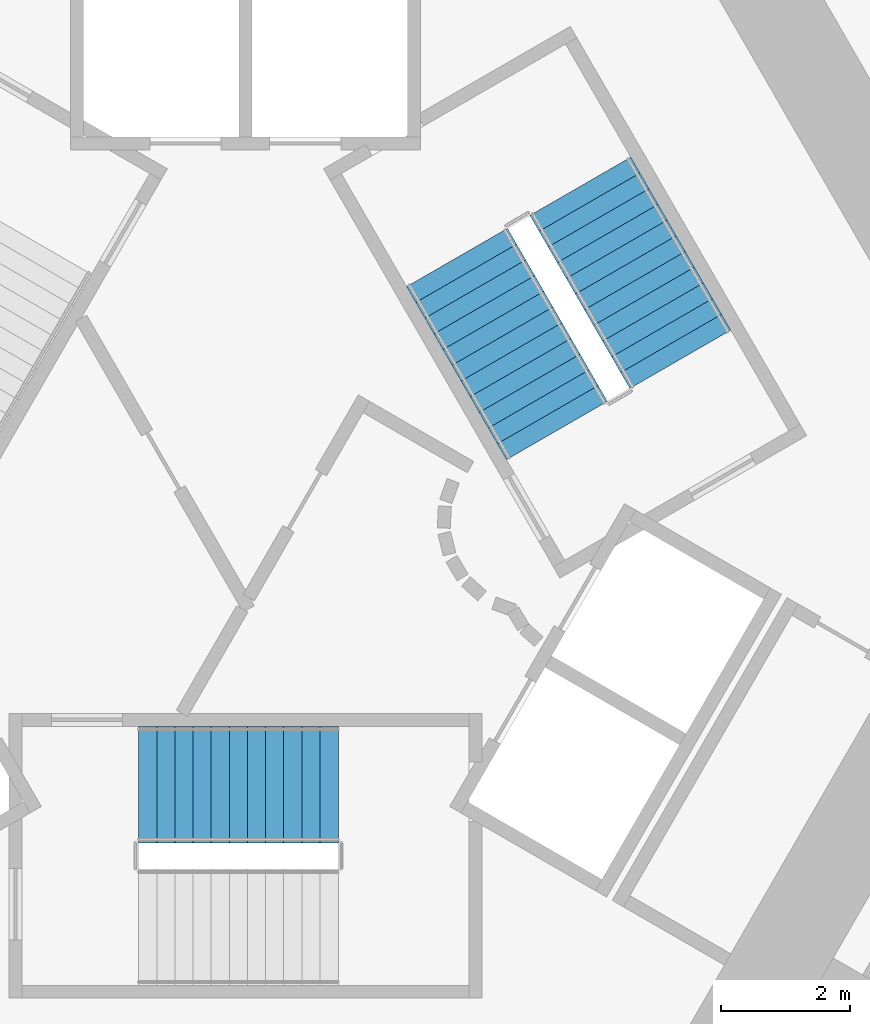
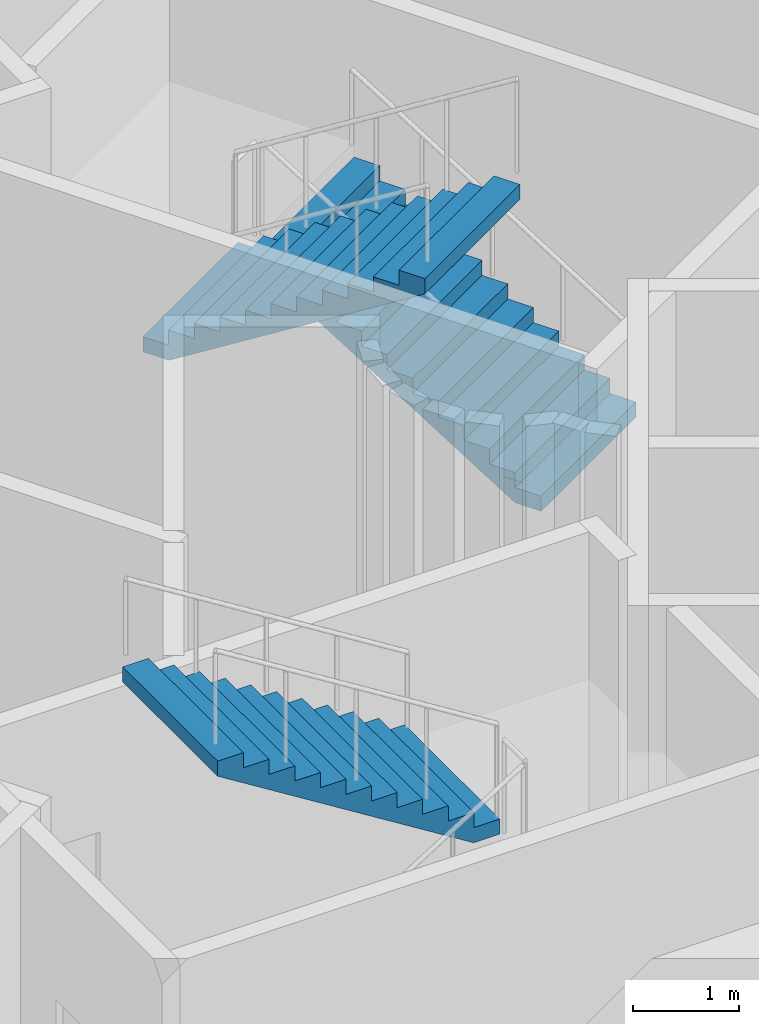
# One storey, part 10 of 13: 3 stair flights, 2 elements without a shape of their own.
"""IFC4 building model written with IfcOpenShell, lengths in metres."""

from ifc_helpers import new_model, si_unit, direction, frame, origin, place, context, subcontext, project, spatial, polyline, outline, extrude, material, type_object, element, aggregate, save


model = new_model("IFC4")

# Units and contexts
model_context = context("Model", 3, precision=1e-05, world=origin(), true_north=direction((0.0, 1.0)))
body_context = subcontext(model_context, "Body", "Model", "MODEL_VIEW")
ifc_project = project(units=[si_unit("LENGTHUNIT", "METRE"), si_unit("AREAUNIT", "SQUARE_METRE"), si_unit("VOLUMEUNIT", "CUBIC_METRE"), si_unit("PLANEANGLEUNIT", "RADIAN"), si_unit("MASSUNIT", "GRAM", prefix="KILO")], contexts=[model_context])

# Site, building, storey
site_placement = place(None, origin())
site = spatial("IfcSite", under=ifc_project, at=site_placement, CompositionType="ELEMENT")
building_placement = place(site_placement, origin())
building = spatial("IfcBuilding", under=site, at=building_placement, Name="Entoto Arch Interchange Tower", CompositionType="ELEMENT")
storey_placement = place(building_placement, frame((0.0, 0.0, 227.60009765625)))
storey = spatial("IfcBuildingStorey", under=building, at=storey_placement, Name="L51", CompositionType="ELEMENT", Elevation=227.60009765625)

# Stair, stair flight
ifc_material = material(Name="Concrete C40/50", Category="concrete")
stair_type = type_object("IfcStairType", Name="EXIT STAIR RC 1800", PredefinedType="HALF_TURN_STAIR", material=ifc_material)
stair_1_placement = place(storey_placement, origin())
stair_1 = element("IfcStair", 1, at=stair_1_placement, inside=storey, type_object=stair_type, Name="L51 Exit stair S", PredefinedType="HALF_TURN_STAIR")
stair_flight_type = type_object("IfcStairFlightType", Name="EXIT STAIR FLIGHT RC 1800", PredefinedType="STRAIGHT", material=ifc_material)
stair_flight_1_placement = place(storey_placement, frame((1.429931640625, -2.10009765625, 2.099853515625), z_axis=(0.0, 0.0, 1.0), x_axis=(-1.0, 0.0, 0.0)))
stair_flight_1 = element("IfcStairFlight", 2, at=stair_flight_1_placement, type_object=stair_flight_type, Name="ST-S flight 2", NumberOfRisers=12, NumberOfTreads=11, PredefinedType="STRAIGHT", RiserHeight=0.175, TreadLength=0.28, context=body_context, shape_type="SweptSolid", body=[
    extrude(outline(polyline([(-0.0029296875, 0.0), (-0.0029296875, 0.175048828125), (0.280029296875, 0.175048828125), (0.280029296875, 0.35009765625), (0.56005859375, 0.35009765625), (0.56005859375, 0.52490234375), (0.840087890625, 0.52490234375), (0.840087890625, 0.699951171875), (1.1201171875, 0.699951171875), (1.1201171875, 0.875), (1.39990234375, 0.875), (1.39990234375, 1.050048828125), (1.679931640625, 1.050048828125), (1.679931640625, 1.22509765625), (1.9599609375, 1.22509765625), (1.9599609375, 1.39990234375), (2.239990234375, 1.39990234375), (2.239990234375, 1.574951171875), (2.52001953125, 1.574951171875), (2.52001953125, 1.75), (2.800048828125, 1.75), (2.800048828125, 1.925048828125), (3.080078125, 1.925048828125), (3.0830078125, 1.925048828125), (3.0830078125, 1.75), (0.28271484375, 0.0), (-0.0029296875, 0.0)])), frame((0.0, 0.89990234375, 0.0), z_axis=(0.0, -1.0, 0.0), x_axis=(1.0, 0.0, 0.0)), (0.0, 0.0, 1.0), 1.800048828125),
])
aggregate(stair_1, [stair_flight_1])

# Stair, stair flights
stair_2_placement = place(storey_placement, origin())
stair_2 = element("IfcStair", 3, at=stair_2_placement, inside=storey, type_object=stair_type, Name="L51 Exit stair NE", PredefinedType="HALF_TURN_STAIR")
stair_flight_2_placement = place(storey_placement, frame((6.7138671875, 4.470947265625, 0.0), z_axis=(0.0, 0.0, 1.0), x_axis=(-0.5, 0.866025403784, 0.0)))
stair_flight_2 = element("IfcStairFlight", 4, at=stair_flight_2_placement, type_object=stair_flight_type, Name="ST-NE flight 1", NumberOfRisers=12, NumberOfTreads=11, PredefinedType="STRAIGHT", RiserHeight=0.175, TreadLength=0.28, context=body_context, shape_type="SweptSolid", body=[
    extrude(outline(polyline([(-0.0029296875, 0.0), (-0.0029296875, 0.175048828125), (0.280029296875, 0.175048828125), (0.280029296875, 0.35009765625), (0.56005859375, 0.35009765625), (0.56005859375, 0.52490234375), (0.840087890625, 0.52490234375), (0.840087890625, 0.699951171875), (1.1201171875, 0.699951171875), (1.1201171875, 0.875), (1.39990234375, 0.875), (1.39990234375, 1.050048828125), (1.679931640625, 1.050048828125), (1.679931640625, 1.22509765625), (1.9599609375, 1.22509765625), (1.9599609375, 1.39990234375), (2.239990234375, 1.39990234375), (2.239990234375, 1.574951171875), (2.52001953125, 1.574951171875), (2.52001953125, 1.75), (2.800048828125, 1.75), (2.800048828125, 1.925048828125), (3.080078125, 1.925048828125), (3.0830078125, 1.925048828125), (3.0830078125, 1.75), (0.28271484375, 0.0), (-0.0029296875, 0.0)])), frame((0.0, 0.89990234375, 0.0), z_axis=(0.0, -1.0, 0.0), x_axis=(1.0, 0.0, 0.0)), (0.0, 0.0, 1.0), 1.800048828125),
])
stair_flight_3_placement = place(storey_placement, frame((3.268798828125, 6.038330078125, 2.099853515625), z_axis=(0.0, 0.0, 1.0), x_axis=(0.5, -0.866025403784, 0.0)))
stair_flight_3 = element("IfcStairFlight", 5, at=stair_flight_3_placement, type_object=stair_flight_type, Name="ST-NE flight 2", NumberOfRisers=12, NumberOfTreads=11, PredefinedType="STRAIGHT", RiserHeight=0.175, TreadLength=0.28, context=body_context, shape_type="SweptSolid", body=[
    extrude(outline(polyline([(-0.0029296875, 0.0), (-0.0029296875, 0.175048828125), (0.280029296875, 0.175048828125), (0.280029296875, 0.35009765625), (0.56005859375, 0.35009765625), (0.56005859375, 0.52490234375), (0.840087890625, 0.52490234375), (0.840087890625, 0.699951171875), (1.1201171875, 0.699951171875), (1.1201171875, 0.875), (1.39990234375, 0.875), (1.39990234375, 1.050048828125), (1.679931640625, 1.050048828125), (1.679931640625, 1.22509765625), (1.9599609375, 1.22509765625), (1.9599609375, 1.39990234375), (2.239990234375, 1.39990234375), (2.239990234375, 1.574951171875), (2.52001953125, 1.574951171875), (2.52001953125, 1.75), (2.800048828125, 1.75), (2.800048828125, 1.925048828125), (3.080078125, 1.925048828125), (3.0830078125, 1.925048828125), (3.0830078125, 1.75), (0.28271484375, 0.0), (-0.0029296875, 0.0)])), frame((0.0, 0.89990234375, 0.0), z_axis=(0.0, -1.0, 0.0), x_axis=(1.0, 0.0, 0.0)), (0.0, 0.0, 1.0), 1.800048828125),
])
aggregate(stair_2, [stair_flight_2, stair_flight_3])

save(model, "model.ifc")
